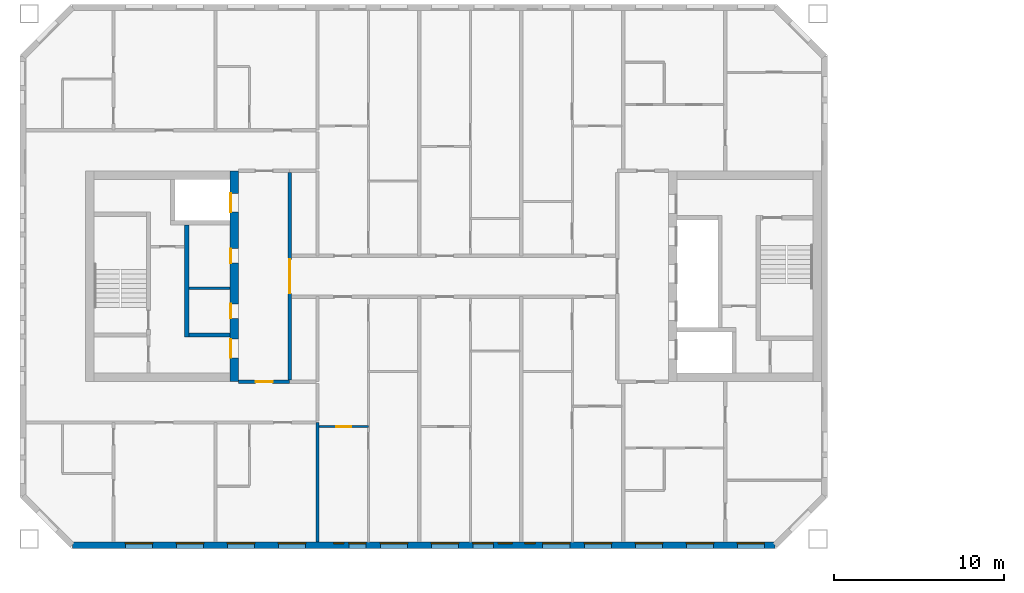
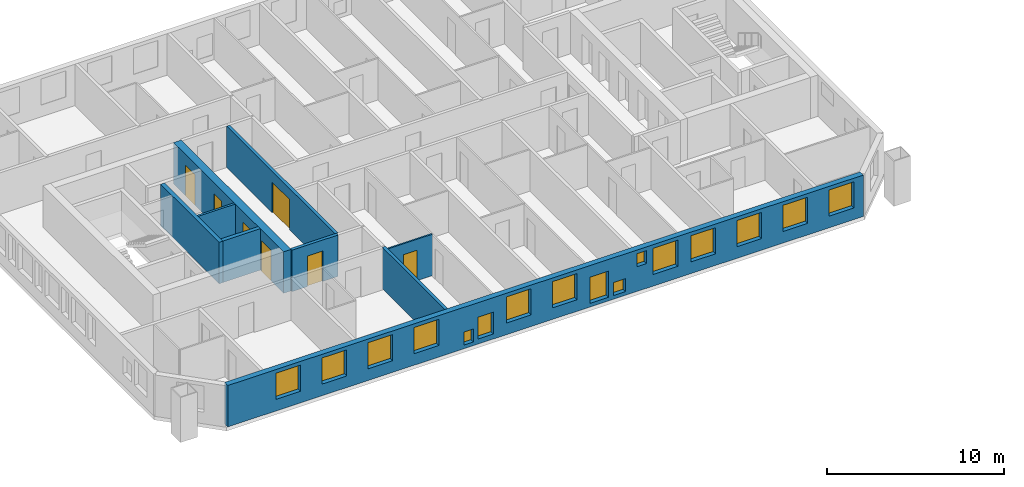
# One storey, part 3 of 15: 16 windows, 9 walls, 7 doors, 23 openings.
"""IFC4 building model written with IfcOpenShell, lengths in metres."""

from ifc_helpers import new_model, si_unit, direction, frame, frame_2d, origin, place, context, subcontext, project, spatial, rectangle, extrude, material, layer, layer_set, type_object, element, fill, save


model = new_model("IFC4")

# Units and contexts
model_context = context("Model", 3, precision=1e-05, world=origin(), true_north=direction((0.0, 1.0)))
body_context = subcontext(model_context, "Body", "Model", "MODEL_VIEW")
ifc_project = project(units=[si_unit("LENGTHUNIT", "METRE"), si_unit("AREAUNIT", "SQUARE_METRE"), si_unit("VOLUMEUNIT", "CUBIC_METRE"), si_unit("PLANEANGLEUNIT", "RADIAN"), si_unit("MASSUNIT", "GRAM", prefix="KILO")], contexts=[model_context])

# Site, building, storey
site_placement = place(None, origin())
site = spatial("IfcSite", under=ifc_project, at=site_placement, CompositionType="ELEMENT")
building_placement = place(site_placement, origin())
building = spatial("IfcBuilding", under=site, at=building_placement, Name="Tuart Gate Housing", CompositionType="ELEMENT")
storey_placement = place(building_placement, frame((0.0, 0.0, 160.89990234375)))
storey = spatial("IfcBuildingStorey", under=building, at=storey_placement, Name="L45", CompositionType="ELEMENT", Elevation=160.89990234375)

# Wall, openings, windows
ifc_material_1 = material(Name="Brick", Category="masonry")
ifc_layer_1 = layer(ifc_material_1, 0.360107421875)
ifc_layer_set_1 = layer_set([ifc_layer_1], Name="Brick pier and spandrel wall 360")
wall_type_1 = type_object("IfcWallType", Name="Brick pier and spandrel wall 360", PredefinedType="STANDARD", material=ifc_layer_set_1)
wall_1_placement = place(storey_placement, frame((31.57470703125, 54.179931640625, 0.0), z_axis=(0.0, 0.0, 1.0), x_axis=(1.0, 0.0, 0.0)))
wall_1 = element("IfcWall", 1, at=wall_1_placement, inside=storey, type_object=wall_type_1, Name="External wall A-S L45", PredefinedType="STANDARD", context=body_context, shape_type="SweptSolid", body=[
    extrude(rectangle(XDim=41.350830078125, YDim=0.360107421875, at=frame_2d((20.67529296875, 0.0))), origin(), (0.0, 0.0, 1.0), 2.85009765625),
])
opening_1_placement = place(wall_1_placement, frame((3.12548828125, 0.0, 0.800048828125)))
opening_1 = element("IfcOpeningElement", 2, at=opening_1_placement, cuts=wall_1, Name="Opening W1", PredefinedType="OPENING", context=body_context, shape_type="SweptSolid", body=[
    extrude(rectangle(XDim=1.60009765625, YDim=1.800048828125, at=frame_2d((0.800048828125, 0.89990234375))), frame((0.0, 0.18994140625, 0.0), z_axis=(0.0, -1.0, 0.0), x_axis=(1.0, 0.0, 0.0)), (0.0, 0.0, 1.0), 0.380126953125),
])
opening_2_placement = place(wall_1_placement, frame((6.12548828125, 0.0, 0.800048828125)))
opening_2 = element("IfcOpeningElement", 3, at=opening_2_placement, cuts=wall_1, Name="Opening W1", PredefinedType="OPENING", context=body_context, shape_type="SweptSolid", body=[
    extrude(rectangle(XDim=1.60009765625, YDim=1.800048828125, at=frame_2d((0.800048828125, 0.89990234375))), frame((0.0, 0.18994140625, 0.0), z_axis=(0.0, -1.0, 0.0), x_axis=(1.0, 0.0, 0.0)), (0.0, 0.0, 1.0), 0.380126953125),
])
opening_3_placement = place(wall_1_placement, frame((9.12548828125, 0.0, 0.800048828125)))
opening_3 = element("IfcOpeningElement", 4, at=opening_3_placement, cuts=wall_1, Name="Opening W1", PredefinedType="OPENING", context=body_context, shape_type="SweptSolid", body=[
    extrude(rectangle(XDim=1.60009765625, YDim=1.800048828125, at=frame_2d((0.800048828125, 0.89990234375))), frame((0.0, 0.18994140625, 0.0), z_axis=(0.0, -1.0, 0.0), x_axis=(1.0, 0.0, 0.0)), (0.0, 0.0, 1.0), 0.380126953125),
])
opening_4_placement = place(wall_1_placement, frame((12.12548828125, 0.0, 0.800048828125)))
opening_4 = element("IfcOpeningElement", 5, at=opening_4_placement, cuts=wall_1, Name="Opening W1", PredefinedType="OPENING", context=body_context, shape_type="SweptSolid", body=[
    extrude(rectangle(XDim=1.60009765625, YDim=1.800048828125, at=frame_2d((0.800048828125, 0.89990234375))), frame((0.0, 0.18994140625, 0.0), z_axis=(0.0, -1.0, 0.0), x_axis=(1.0, 0.0, 0.0)), (0.0, 0.0, 1.0), 0.380126953125),
])
opening_5_placement = place(wall_1_placement, frame((15.37548828125, 0.0, 0.25)))
opening_5 = element("IfcOpeningElement", 6, at=opening_5_placement, cuts=wall_1, Name="Opening W1W", PredefinedType="OPENING", context=body_context, shape_type="SweptSolid", body=[
    extrude(rectangle(XDim=0.60009765625, YDim=0.89990234375, at=frame_2d((0.300048828125, 0.449951171875))), frame((0.0, 0.18994140625, 0.0), z_axis=(0.0, -1.0, 0.0), x_axis=(1.0, 0.0, 0.0)), (0.0, 0.0, 1.0), 0.380126953125),
])
opening_6_placement = place(wall_1_placement, frame((18.12548828125, 0.0, 0.800048828125)))
opening_6 = element("IfcOpeningElement", 7, at=opening_6_placement, cuts=wall_1, Name="Opening W1", PredefinedType="OPENING", context=body_context, shape_type="SweptSolid", body=[
    extrude(rectangle(XDim=1.60009765625, YDim=1.800048828125, at=frame_2d((0.800048828125, 0.89990234375))), frame((0.0, 0.18994140625, 0.0), z_axis=(0.0, -1.0, 0.0), x_axis=(1.0, 0.0, 0.0)), (0.0, 0.0, 1.0), 0.380126953125),
])
opening_7_placement = place(wall_1_placement, frame((21.12548828125, 0.0, 0.800048828125)))
opening_7 = element("IfcOpeningElement", 8, at=opening_7_placement, cuts=wall_1, Name="Opening W1", PredefinedType="OPENING", context=body_context, shape_type="SweptSolid", body=[
    extrude(rectangle(XDim=1.60009765625, YDim=1.800048828125, at=frame_2d((0.800048828125, 0.89990234375))), frame((0.0, 0.18994140625, 0.0), z_axis=(0.0, -1.0, 0.0), x_axis=(1.0, 0.0, 0.0)), (0.0, 0.0, 1.0), 0.380126953125),
])
opening_8_placement = place(wall_1_placement, frame((23.575439453125, 0.0, 0.25)))
opening_8 = element("IfcOpeningElement", 9, at=opening_8_placement, cuts=wall_1, Name="Opening W1B", PredefinedType="OPENING", context=body_context, shape_type="SweptSolid", body=[
    extrude(rectangle(XDim=1.199951171875, YDim=1.800048828125, at=frame_2d((0.60009765625, 0.89990234375))), frame((0.0, 0.18994140625, 0.0), z_axis=(0.0, -1.0, 0.0), x_axis=(1.0, 0.0, 0.0)), (0.0, 0.0, 1.0), 0.380126953125),
])
opening_9_placement = place(wall_1_placement, frame((26.62548828125, 0.0, 1.699951171875)))
opening_9 = element("IfcOpeningElement", 10, at=opening_9_placement, cuts=wall_1, Name="Opening W1W", PredefinedType="OPENING", context=body_context, shape_type="SweptSolid", body=[
    extrude(rectangle(XDim=0.60009765625, YDim=0.89990234375, at=frame_2d((0.300048828125, 0.449951171875))), frame((0.0, 0.18994140625, 0.0), z_axis=(0.0, -1.0, 0.0), x_axis=(1.0, 0.0, 0.0)), (0.0, 0.0, 1.0), 0.380126953125),
])
opening_10_placement = place(wall_1_placement, frame((30.12548828125, 0.0, 0.800048828125)))
opening_10 = element("IfcOpeningElement", 11, at=opening_10_placement, cuts=wall_1, Name="Opening W1", PredefinedType="OPENING", context=body_context, shape_type="SweptSolid", body=[
    extrude(rectangle(XDim=1.60009765625, YDim=1.800048828125, at=frame_2d((0.800048828125, 0.89990234375))), frame((0.0, 0.18994140625, 0.0), z_axis=(0.0, -1.0, 0.0), x_axis=(1.0, 0.0, 0.0)), (0.0, 0.0, 1.0), 0.380126953125),
])
opening_11_placement = place(wall_1_placement, frame((33.12548828125, 0.0, 0.800048828125)))
opening_11 = element("IfcOpeningElement", 12, at=opening_11_placement, cuts=wall_1, Name="Opening W1", PredefinedType="OPENING", context=body_context, shape_type="SweptSolid", body=[
    extrude(rectangle(XDim=1.60009765625, YDim=1.800048828125, at=frame_2d((0.800048828125, 0.89990234375))), frame((0.0, 0.18994140625, 0.0), z_axis=(0.0, -1.0, 0.0), x_axis=(1.0, 0.0, 0.0)), (0.0, 0.0, 1.0), 0.380126953125),
])
opening_12_placement = place(wall_1_placement, frame((36.12548828125, 0.0, 0.800048828125)))
opening_12 = element("IfcOpeningElement", 13, at=opening_12_placement, cuts=wall_1, Name="Opening W1", PredefinedType="OPENING", context=body_context, shape_type="SweptSolid", body=[
    extrude(rectangle(XDim=1.60009765625, YDim=1.800048828125, at=frame_2d((0.800048828125, 0.89990234375))), frame((0.0, 0.18994140625, 0.0), z_axis=(0.0, -1.0, 0.0), x_axis=(1.0, 0.0, 0.0)), (0.0, 0.0, 1.0), 0.380126953125),
])
opening_13_placement = place(wall_1_placement, frame((39.12548828125, 0.0, 0.800048828125)))
opening_13 = element("IfcOpeningElement", 14, at=opening_13_placement, cuts=wall_1, Name="Opening W1", PredefinedType="OPENING", context=body_context, shape_type="SweptSolid", body=[
    extrude(rectangle(XDim=1.60009765625, YDim=1.800048828125, at=frame_2d((0.800048828125, 0.89990234375))), frame((0.0, 0.18994140625, 0.0), z_axis=(0.0, -1.0, 0.0), x_axis=(1.0, 0.0, 0.0)), (0.0, 0.0, 1.0), 0.380126953125),
])
opening_14_placement = place(wall_1_placement, frame((16.275390625, 0.0, 0.35009765625)))
opening_14 = element("IfcOpeningElement", 15, at=opening_14_placement, cuts=wall_1, Name="Opening W1I", PredefinedType="OPENING", context=body_context, shape_type="SweptSolid", body=[
    extrude(rectangle(XDim=1.0, YDim=1.5, at=frame_2d((0.5, 0.75))), frame((0.0, 0.18994140625, 0.0), z_axis=(0.0, -1.0, 0.0), x_axis=(1.0, 0.0, 0.0)), (0.0, 0.0, 1.0), 0.380126953125),
])
opening_15_placement = place(wall_1_placement, frame((25.075439453125, 0.0, 0.25)))
opening_15 = element("IfcOpeningElement", 16, at=opening_15_placement, cuts=wall_1, Name="Opening W1V", PredefinedType="OPENING", context=body_context, shape_type="SweptSolid", body=[
    extrude(rectangle(XDim=0.800048828125, YDim=0.89990234375, at=frame_2d((0.39990234375, 0.449951171875))), frame((0.0, 0.18994140625, 0.0), z_axis=(0.0, -1.0, 0.0), x_axis=(1.0, 0.0, 0.0)), (0.0, 0.0, 1.0), 0.380126953125),
])
opening_16_placement = place(wall_1_placement, frame((27.67529296875, 0.0, 0.800048828125)))
opening_16 = element("IfcOpeningElement", 17, at=opening_16_placement, cuts=wall_1, Name="Opening W1", PredefinedType="OPENING", context=body_context, shape_type="SweptSolid", body=[
    extrude(rectangle(XDim=1.60009765625, YDim=1.800048828125, at=frame_2d((0.800048828125, 0.89990234375))), frame((0.0, 0.18994140625, 0.0), z_axis=(0.0, -1.0, 0.0), x_axis=(1.0, 0.0, 0.0)), (0.0, 0.0, 1.0), 0.380126953125),
])
ifc_material_2 = material(Name="Aluminium frame with clear glass", Category="aluminium")
window_type_1 = type_object("IfcWindowType", Name="Punched window 1000 x 1500", PartitioningType="SINGLE_PANEL", PredefinedType="WINDOW", material=ifc_material_2)
window_1_placement = place(opening_14_placement, origin())
window_1 = element("IfcWindow", 18, at=window_1_placement, inside=storey, type_object=window_type_1, Name="Window W1I", OverallHeight=1.5, OverallWidth=1.0, PartitioningType="SINGLE_PANEL", PredefinedType="WINDOW", context=body_context, shape_type="SweptSolid", body=[
    extrude(rectangle(XDim=1.0, YDim=1.5, at=frame_2d((0.5, 0.75))), frame((0.0, 0.150146484375, 0.0), z_axis=(0.0, -1.0, 0.0), x_axis=(1.0, 0.0, 0.0)), (0.0, 0.0, 1.0), 0.06005859375),
])
fill(opening_14, window_1)
ifc_material_3 = material(Name="Aluminium frame with clear glass", Category="aluminium")
window_type_2 = type_object("IfcWindowType", Name="Punched window 1200 x 1800", PartitioningType="SINGLE_PANEL", PredefinedType="WINDOW", material=ifc_material_3)
window_2_placement = place(opening_8_placement, origin())
window_2 = element("IfcWindow", 19, at=window_2_placement, inside=storey, type_object=window_type_2, Name="Window W1B", OverallHeight=1.800048828125, OverallWidth=1.199951171875, PartitioningType="SINGLE_PANEL", PredefinedType="WINDOW", context=body_context, shape_type="SweptSolid", body=[
    extrude(rectangle(XDim=1.199951171875, YDim=1.800048828125, at=frame_2d((0.60009765625, 0.89990234375))), frame((0.0, 0.150146484375, 0.0), z_axis=(0.0, -1.0, 0.0), x_axis=(1.0, 0.0, 0.0)), (0.0, 0.0, 1.0), 0.06005859375),
])
fill(opening_8, window_2)
ifc_material_4 = material(Name="Aluminium frame with clear glass", Category="aluminium")
window_type_3 = type_object("IfcWindowType", Name="Punched window 1600 x 1800", PartitioningType="SINGLE_PANEL", PredefinedType="WINDOW", material=ifc_material_4)
window_3_placement = place(opening_1_placement, origin())
window_3 = element("IfcWindow", 20, at=window_3_placement, inside=storey, type_object=window_type_3, Name="Window W1", OverallHeight=1.800048828125, OverallWidth=1.60009765625, PartitioningType="SINGLE_PANEL", PredefinedType="WINDOW", context=body_context, shape_type="SweptSolid", body=[
    extrude(rectangle(XDim=1.60009765625, YDim=1.800048828125, at=frame_2d((0.800048828125, 0.89990234375))), frame((0.0, 0.150146484375, 0.0), z_axis=(0.0, -1.0, 0.0), x_axis=(1.0, 0.0, 0.0)), (0.0, 0.0, 1.0), 0.06005859375),
])
fill(opening_1, window_3)
window_4_placement = place(opening_2_placement, origin())
window_4 = element("IfcWindow", 21, at=window_4_placement, inside=storey, type_object=window_type_3, Name="Window W1", OverallHeight=1.800048828125, OverallWidth=1.60009765625, PartitioningType="SINGLE_PANEL", PredefinedType="WINDOW", context=body_context, shape_type="SweptSolid", body=[
    extrude(rectangle(XDim=1.60009765625, YDim=1.800048828125, at=frame_2d((0.800048828125, 0.89990234375))), frame((0.0, 0.150146484375, 0.0), z_axis=(0.0, -1.0, 0.0), x_axis=(1.0, 0.0, 0.0)), (0.0, 0.0, 1.0), 0.06005859375),
])
fill(opening_2, window_4)
window_5_placement = place(opening_3_placement, origin())
window_5 = element("IfcWindow", 22, at=window_5_placement, inside=storey, type_object=window_type_3, Name="Window W1", OverallHeight=1.800048828125, OverallWidth=1.60009765625, PartitioningType="SINGLE_PANEL", PredefinedType="WINDOW", context=body_context, shape_type="SweptSolid", body=[
    extrude(rectangle(XDim=1.60009765625, YDim=1.800048828125, at=frame_2d((0.800048828125, 0.89990234375))), frame((0.0, 0.150146484375, 0.0), z_axis=(0.0, -1.0, 0.0), x_axis=(1.0, 0.0, 0.0)), (0.0, 0.0, 1.0), 0.06005859375),
])
fill(opening_3, window_5)
window_6_placement = place(opening_4_placement, origin())
window_6 = element("IfcWindow", 23, at=window_6_placement, inside=storey, type_object=window_type_3, Name="Window W1", OverallHeight=1.800048828125, OverallWidth=1.60009765625, PartitioningType="SINGLE_PANEL", PredefinedType="WINDOW", context=body_context, shape_type="SweptSolid", body=[
    extrude(rectangle(XDim=1.60009765625, YDim=1.800048828125, at=frame_2d((0.800048828125, 0.89990234375))), frame((0.0, 0.150146484375, 0.0), z_axis=(0.0, -1.0, 0.0), x_axis=(1.0, 0.0, 0.0)), (0.0, 0.0, 1.0), 0.06005859375),
])
fill(opening_4, window_6)
window_7_placement = place(opening_6_placement, origin())
window_7 = element("IfcWindow", 24, at=window_7_placement, inside=storey, type_object=window_type_3, Name="Window W1", OverallHeight=1.800048828125, OverallWidth=1.60009765625, PartitioningType="SINGLE_PANEL", PredefinedType="WINDOW", context=body_context, shape_type="SweptSolid", body=[
    extrude(rectangle(XDim=1.60009765625, YDim=1.800048828125, at=frame_2d((0.800048828125, 0.89990234375))), frame((0.0, 0.150146484375, 0.0), z_axis=(0.0, -1.0, 0.0), x_axis=(1.0, 0.0, 0.0)), (0.0, 0.0, 1.0), 0.06005859375),
])
fill(opening_6, window_7)
window_8_placement = place(opening_7_placement, origin())
window_8 = element("IfcWindow", 25, at=window_8_placement, inside=storey, type_object=window_type_3, Name="Window W1", OverallHeight=1.800048828125, OverallWidth=1.60009765625, PartitioningType="SINGLE_PANEL", PredefinedType="WINDOW", context=body_context, shape_type="SweptSolid", body=[
    extrude(rectangle(XDim=1.60009765625, YDim=1.800048828125, at=frame_2d((0.800048828125, 0.89990234375))), frame((0.0, 0.150146484375, 0.0), z_axis=(0.0, -1.0, 0.0), x_axis=(1.0, 0.0, 0.0)), (0.0, 0.0, 1.0), 0.06005859375),
])
fill(opening_7, window_8)
window_9_placement = place(opening_10_placement, origin())
window_9 = element("IfcWindow", 26, at=window_9_placement, inside=storey, type_object=window_type_3, Name="Window W1", OverallHeight=1.800048828125, OverallWidth=1.60009765625, PartitioningType="SINGLE_PANEL", PredefinedType="WINDOW", context=body_context, shape_type="SweptSolid", body=[
    extrude(rectangle(XDim=1.60009765625, YDim=1.800048828125, at=frame_2d((0.800048828125, 0.89990234375))), frame((0.0, 0.150146484375, 0.0), z_axis=(0.0, -1.0, 0.0), x_axis=(1.0, 0.0, 0.0)), (0.0, 0.0, 1.0), 0.06005859375),
])
fill(opening_10, window_9)
window_10_placement = place(opening_11_placement, origin())
window_10 = element("IfcWindow", 27, at=window_10_placement, inside=storey, type_object=window_type_3, Name="Window W1", OverallHeight=1.800048828125, OverallWidth=1.60009765625, PartitioningType="SINGLE_PANEL", PredefinedType="WINDOW", context=body_context, shape_type="SweptSolid", body=[
    extrude(rectangle(XDim=1.60009765625, YDim=1.800048828125, at=frame_2d((0.800048828125, 0.89990234375))), frame((0.0, 0.150146484375, 0.0), z_axis=(0.0, -1.0, 0.0), x_axis=(1.0, 0.0, 0.0)), (0.0, 0.0, 1.0), 0.06005859375),
])
fill(opening_11, window_10)
window_11_placement = place(opening_12_placement, origin())
window_11 = element("IfcWindow", 28, at=window_11_placement, inside=storey, type_object=window_type_3, Name="Window W1", OverallHeight=1.800048828125, OverallWidth=1.60009765625, PartitioningType="SINGLE_PANEL", PredefinedType="WINDOW", context=body_context, shape_type="SweptSolid", body=[
    extrude(rectangle(XDim=1.60009765625, YDim=1.800048828125, at=frame_2d((0.800048828125, 0.89990234375))), frame((0.0, 0.150146484375, 0.0), z_axis=(0.0, -1.0, 0.0), x_axis=(1.0, 0.0, 0.0)), (0.0, 0.0, 1.0), 0.06005859375),
])
fill(opening_12, window_11)
window_12_placement = place(opening_13_placement, origin())
window_12 = element("IfcWindow", 29, at=window_12_placement, inside=storey, type_object=window_type_3, Name="Window W1", OverallHeight=1.800048828125, OverallWidth=1.60009765625, PartitioningType="SINGLE_PANEL", PredefinedType="WINDOW", context=body_context, shape_type="SweptSolid", body=[
    extrude(rectangle(XDim=1.60009765625, YDim=1.800048828125, at=frame_2d((0.800048828125, 0.89990234375))), frame((0.0, 0.150146484375, 0.0), z_axis=(0.0, -1.0, 0.0), x_axis=(1.0, 0.0, 0.0)), (0.0, 0.0, 1.0), 0.06005859375),
])
fill(opening_13, window_12)
window_13_placement = place(opening_16_placement, origin())
window_13 = element("IfcWindow", 30, at=window_13_placement, inside=storey, type_object=window_type_3, Name="Window W1", OverallHeight=1.800048828125, OverallWidth=1.60009765625, PartitioningType="SINGLE_PANEL", PredefinedType="WINDOW", context=body_context, shape_type="SweptSolid", body=[
    extrude(rectangle(XDim=1.60009765625, YDim=1.800048828125, at=frame_2d((0.800048828125, 0.89990234375))), frame((0.0, 0.150146484375, 0.0), z_axis=(0.0, -1.0, 0.0), x_axis=(1.0, 0.0, 0.0)), (0.0, 0.0, 1.0), 0.06005859375),
])
fill(opening_16, window_13)
ifc_material_5 = material(Name="Aluminium frame with clear glass", Category="aluminium")
window_type_4 = type_object("IfcWindowType", Name="Punched window 600 x 900", PartitioningType="SINGLE_PANEL", PredefinedType="WINDOW", material=ifc_material_5)
window_14_placement = place(opening_5_placement, origin())
window_14 = element("IfcWindow", 31, at=window_14_placement, inside=storey, type_object=window_type_4, Name="Window W1W", OverallHeight=0.89990234375, OverallWidth=0.60009765625, PartitioningType="SINGLE_PANEL", PredefinedType="WINDOW", context=body_context, shape_type="SweptSolid", body=[
    extrude(rectangle(XDim=0.60009765625, YDim=0.89990234375, at=frame_2d((0.300048828125, 0.449951171875))), frame((0.0, 0.150146484375, 0.0), z_axis=(0.0, -1.0, 0.0), x_axis=(1.0, 0.0, 0.0)), (0.0, 0.0, 1.0), 0.06005859375),
])
fill(opening_5, window_14)
window_15_placement = place(opening_9_placement, origin())
window_15 = element("IfcWindow", 32, at=window_15_placement, inside=storey, type_object=window_type_4, Name="Window W1W", OverallHeight=0.89990234375, OverallWidth=0.60009765625, PartitioningType="SINGLE_PANEL", PredefinedType="WINDOW", context=body_context, shape_type="SweptSolid", body=[
    extrude(rectangle(XDim=0.60009765625, YDim=0.89990234375, at=frame_2d((0.300048828125, 0.449951171875))), frame((0.0, 0.150146484375, 0.0), z_axis=(0.0, -1.0, 0.0), x_axis=(1.0, 0.0, 0.0)), (0.0, 0.0, 1.0), 0.06005859375),
])
fill(opening_9, window_15)
ifc_material_6 = material(Name="Aluminium frame with clear glass", Category="aluminium")
window_type_5 = type_object("IfcWindowType", Name="Punched window 800 x 900", PartitioningType="SINGLE_PANEL", PredefinedType="WINDOW", material=ifc_material_6)
window_16_placement = place(opening_15_placement, origin())
window_16 = element("IfcWindow", 33, at=window_16_placement, inside=storey, type_object=window_type_5, Name="Window W1V", OverallHeight=0.89990234375, OverallWidth=0.800048828125, PartitioningType="SINGLE_PANEL", PredefinedType="WINDOW", context=body_context, shape_type="SweptSolid", body=[
    extrude(rectangle(XDim=0.800048828125, YDim=0.89990234375, at=frame_2d((0.39990234375, 0.449951171875))), frame((0.0, 0.150146484375, 0.0), z_axis=(0.0, -1.0, 0.0), x_axis=(1.0, 0.0, 0.0)), (0.0, 0.0, 1.0), 0.06005859375),
])
fill(opening_15, window_16)

# Walls
ifc_material_7 = material(Name="Plasterboard partition")
ifc_layer_2 = layer(ifc_material_7, 0.14990234375)
ifc_layer_set_2 = layer_set([ifc_layer_2], Name="Core partition 150")
wall_type_2 = type_object("IfcWallType", Name="Core partition 150", PredefinedType="PARTITIONING", material=ifc_layer_set_2)
wall_2_placement = place(storey_placement, frame((40.860107421875, 69.300048828125, 0.0), z_axis=(0.0, 0.0, 1.0), x_axis=(-1.0, 0.0, 0.0)))
element("IfcWall", 34, at=wall_2_placement, inside=storey, type_object=wall_type_2, Name="Core partition AK.4", PredefinedType="PARTITIONING", context=body_context, shape_type="SweptSolid", body=[
    extrude(rectangle(XDim=2.425048828125, YDim=0.14990234375, at=frame_2d((1.21240234375, 0.0))), origin(), (0.0, 0.0, 1.0), 2.85009765625),
])
ifc_material_8 = material(Name="Concrete C40", Category="concrete")
ifc_layer_3 = layer(ifc_material_8, 0.25)
ifc_layer_set_3 = layer_set([ifc_layer_3], Name="Core wall 250 C40")
wall_type_3 = type_object("IfcWallType", Name="Core wall 250 C40", PredefinedType="SHEAR", material=ifc_layer_set_3)
wall_3_placement = place(storey_placement, frame((40.860107421875, 66.550048828125, 0.0), z_axis=(0.0, 0.0, 1.0), x_axis=(-1.0, 0.0, 0.0)))
element("IfcWall", 35, at=wall_3_placement, inside=storey, type_object=wall_type_3, Name="Core wall AK.5", PredefinedType="SHEAR", context=body_context, shape_type="SweptSolid", body=[
    extrude(rectangle(XDim=2.425048828125, YDim=0.25, at=frame_2d((1.21240234375, 0.0))), origin(), (0.0, 0.0, 1.0), 2.85009765625),
])
wall_4_placement = place(storey_placement, frame((38.31005859375, 73.02490234375, 0.0), z_axis=(0.0, 0.0, 1.0), x_axis=(0.0, -1.0, 0.0)))
element("IfcWall", 36, at=wall_4_placement, inside=storey, type_object=wall_type_3, Name="Core wall AK.7", PredefinedType="SHEAR", context=body_context, shape_type="SweptSolid", body=[
    extrude(rectangle(XDim=6.599853515625, YDim=0.25, at=frame_2d((3.2998046875, 0.0))), origin(), (0.0, 0.0, 1.0), 2.85009765625),
])

# Wall, openings, doors
ifc_material_9 = material(Name="Concrete C40", Category="concrete")
ifc_layer_4 = layer(ifc_material_9, 0.5)
ifc_layer_set_4 = layer_set([ifc_layer_4], Name="Core wall 500 C40")
wall_type_4 = type_object("IfcWallType", Name="Core wall 500 C40", PredefinedType="SHEAR", material=ifc_layer_set_4)
wall_5_placement = place(storey_placement, frame((41.110107421875, 76.199951171875, 0.0), z_axis=(0.0, 0.0, 1.0), x_axis=(0.0, -1.0, 0.0)))
wall_5 = element("IfcWall", 37, at=wall_5_placement, inside=storey, type_object=wall_type_4, Name="Core wall AK front", PredefinedType="SHEAR", context=body_context, shape_type="SweptSolid", body=[
    extrude(rectangle(XDim=12.39990234375, YDim=0.5, at=frame_2d((6.199951171875, 0.0))), origin(), (0.0, 0.0, 1.0), 2.85009765625),
])
opening_17_placement = place(wall_5_placement, frame((1.324951171875, 0.0, 0.0)))
opening_17 = element("IfcOpeningElement", 38, at=opening_17_placement, cuts=wall_5, Name="Opening LD-FA2", PredefinedType="OPENING", context=body_context, shape_type="SweptSolid", body=[
    extrude(rectangle(XDim=1.10009765625, YDim=2.10009765625, at=frame_2d((0.550048828125, 1.050048828125))), frame((0.0, 0.260009765625, 0.0), z_axis=(0.0, -1.0, 0.0), x_axis=(1.0, 0.0, 0.0)), (0.0, 0.0, 1.0), 0.52001953125),
])
opening_18_placement = place(wall_5_placement, frame((4.574951171875, 0.0, 0.0)))
opening_18 = element("IfcOpeningElement", 39, at=opening_18_placement, cuts=wall_5, Name="Opening D1650", PredefinedType="OPENING", context=body_context, shape_type="SweptSolid", body=[
    extrude(rectangle(XDim=0.85009765625, YDim=2.10009765625, at=frame_2d((0.425048828125, 1.050048828125))), frame((0.0, 0.260009765625, 0.0), z_axis=(0.0, -1.0, 0.0), x_axis=(1.0, 0.0, 0.0)), (0.0, 0.0, 1.0), 0.52001953125),
])
opening_19_placement = place(wall_5_placement, frame((7.824951171875, 0.0, 0.0)))
opening_19 = element("IfcOpeningElement", 40, at=opening_19_placement, cuts=wall_5, Name="Opening D1651", PredefinedType="OPENING", context=body_context, shape_type="SweptSolid", body=[
    extrude(rectangle(XDim=0.85009765625, YDim=2.10009765625, at=frame_2d((0.425048828125, 1.050048828125))), frame((0.0, 0.260009765625, 0.0), z_axis=(0.0, -1.0, 0.0), x_axis=(1.0, 0.0, 0.0)), (0.0, 0.0, 1.0), 0.52001953125),
])
opening_20_placement = place(wall_5_placement, frame((9.89990234375, 0.0, 0.0)))
opening_20 = element("IfcOpeningElement", 41, at=opening_20_placement, cuts=wall_5, Name="Opening D1649", PredefinedType="OPENING", context=body_context, shape_type="SweptSolid", body=[
    extrude(rectangle(XDim=1.10009765625, YDim=2.10009765625, at=frame_2d((0.550048828125, 1.050048828125))), frame((0.0, 0.260009765625, 0.0), z_axis=(0.0, -1.0, 0.0), x_axis=(1.0, 0.0, 0.0)), (0.0, 0.0, 1.0), 0.52001953125),
])
ifc_material_10 = material(Name="Stainless steel", Category="steel")
door_type_1 = type_object("IfcDoorType", Name="Landing door 1100 x 2100", OperationType="DOUBLE_DOOR_SLIDING", PredefinedType="DOOR", material=ifc_material_10)
door_1_placement = place(opening_17_placement, origin())
door_1 = element("IfcDoor", 42, at=door_1_placement, inside=storey, type_object=door_type_1, Name="Lift landing door FA2", OperationType="DOUBLE_DOOR_SLIDING", OverallHeight=2.10009765625, OverallWidth=1.10009765625, PredefinedType="DOOR", context=body_context, shape_type="SweptSolid", body=[
    extrude(rectangle(XDim=1.10009765625, YDim=2.10009765625, at=frame_2d((0.550048828125, 1.050048828125))), frame((0.0, -0.18505859375, 0.0), z_axis=(0.0, -1.0, 0.0), x_axis=(1.0, 0.0, 0.0)), (0.0, 0.0, 1.0), 0.050048828125),
])
fill(opening_17, door_1)
ifc_material_11 = material(Name="Steel fire door", Category="steel")
door_type_2 = type_object("IfcDoorType", Name="Lobby door 1100 x 2100 RH", OperationType="SINGLE_SWING_RIGHT", PredefinedType="DOOR", material=ifc_material_11)
door_2_placement = place(opening_20_placement, frame((1.10009765625, 0.0, 0.0), z_axis=(0.0, 0.0, 1.0), x_axis=(-1.0, 0.0, 0.0)))
door_2 = element("IfcDoor", 43, at=door_2_placement, inside=storey, type_object=door_type_2, Name="Lobby entry door AK.EN", OperationType="SINGLE_SWING_RIGHT", OverallHeight=2.10009765625, OverallWidth=1.10009765625, PredefinedType="DOOR", context=body_context, shape_type="SweptSolid", body=[
    extrude(rectangle(XDim=1.10009765625, YDim=2.10009765625, at=frame_2d((0.550048828125, 1.050048828125))), frame((0.0, 0.235107421875, 0.0), z_axis=(0.0, -1.0, 0.0), x_axis=(1.0, 0.0, 0.0)), (0.0, 0.0, 1.0), 0.050048828125),
])
fill(opening_20, door_2)
ifc_material_12 = material(Name="Steel fire door", Category="steel")
door_type_3 = type_object("IfcDoorType", Name="Service door 850 x 2100 RH", OperationType="SINGLE_SWING_RIGHT", PredefinedType="DOOR", material=ifc_material_12)
door_3_placement = place(opening_18_placement, frame((0.85009765625, 0.0, 0.0), z_axis=(0.0, 0.0, 1.0), x_axis=(-1.0, 0.0, 0.0)))
door_3 = element("IfcDoor", 44, at=door_3_placement, inside=storey, type_object=door_type_3, Name="Service room door AK.FR1", OperationType="SINGLE_SWING_RIGHT", OverallHeight=2.10009765625, OverallWidth=0.85009765625, PredefinedType="DOOR", context=body_context, shape_type="SweptSolid", body=[
    extrude(rectangle(XDim=0.85009765625, YDim=2.10009765625, at=frame_2d((0.425048828125, 1.050048828125))), frame((0.0, 0.235107421875, 0.0), z_axis=(0.0, -1.0, 0.0), x_axis=(1.0, 0.0, 0.0)), (0.0, 0.0, 1.0), 0.050048828125),
])
fill(opening_18, door_3)
door_4_placement = place(opening_19_placement, frame((0.85009765625, 0.0, 0.0), z_axis=(0.0, 0.0, 1.0), x_axis=(-1.0, 0.0, 0.0)))
door_4 = element("IfcDoor", 45, at=door_4_placement, inside=storey, type_object=door_type_3, Name="Service room door AK.FR2", OperationType="SINGLE_SWING_RIGHT", OverallHeight=2.10009765625, OverallWidth=0.85009765625, PredefinedType="DOOR", context=body_context, shape_type="SweptSolid", body=[
    extrude(rectangle(XDim=0.85009765625, YDim=2.10009765625, at=frame_2d((0.425048828125, 1.050048828125))), frame((0.0, 0.235107421875, 0.0), z_axis=(0.0, -1.0, 0.0), x_axis=(1.0, 0.0, 0.0)), (0.0, 0.0, 1.0), 0.050048828125),
])
fill(opening_19, door_4)

# Wall, opening, door
ifc_material_13 = material(Name="Concrete masonry 15 MPa", Category="masonry")
ifc_layer_5 = layer(ifc_material_13, 0.199951171875)
ifc_layer_set_5 = layer_set([ifc_layer_5], Name="Enclosure wall masonry 200")
wall_type_5 = type_object("IfcWallType", Name="Enclosure wall masonry 200", PredefinedType="PARTITIONING", material=ifc_layer_set_5)
wall_6_placement = place(storey_placement, frame((41.360107421875, 63.800048828125, 0.0), z_axis=(0.0, 0.0, 1.0), x_axis=(1.0, 0.0, 0.0)))
wall_6 = element("IfcWall", 46, at=wall_6_placement, inside=storey, type_object=wall_type_5, Name="Enclosure wall masonry 200", PredefinedType="PARTITIONING", context=body_context, shape_type="SweptSolid", body=[
    extrude(rectangle(XDim=3.0, YDim=0.199951171875, at=frame_2d((1.5, 0.0))), origin(), (0.0, 0.0, 1.0), 2.85009765625),
])
opening_21_placement = place(wall_6_placement, frame((1.0, 0.0, 0.0)))
opening_21 = element("IfcOpeningElement", 47, at=opening_21_placement, cuts=wall_6, Name="Opening D1661", PredefinedType="OPENING", context=body_context, shape_type="SweptSolid", body=[
    extrude(rectangle(XDim=1.0, YDim=2.10009765625, at=frame_2d((0.5, 1.050048828125))), frame((0.0, 0.10986328125, 0.0), z_axis=(0.0, -1.0, 0.0), x_axis=(1.0, 0.0, 0.0)), (0.0, 0.0, 1.0), 0.219970703125),
])
ifc_material_14 = material(Name="Timber door leaf in steel frame", Category="steel")
door_type_4 = type_object("IfcDoorType", Name="Fire door 1000", OperationType="SINGLE_SWING_LEFT", PredefinedType="DOOR", material=ifc_material_14)
door_5_placement = place(opening_21_placement, frame((1.0, 0.0, 0.0), z_axis=(0.0, 0.0, 1.0), x_axis=(-1.0, 0.0, 0.0)))
door_5 = element("IfcDoor", 48, at=door_5_placement, inside=storey, type_object=door_type_4, Name="Fire door", OperationType="SINGLE_SWING_LEFT", OverallHeight=2.10009765625, OverallWidth=1.0, PredefinedType="DOOR", context=body_context, shape_type="SweptSolid", body=[
    extrude(rectangle(XDim=1.0, YDim=2.10009765625, at=frame_2d((0.5, 1.050048828125))), frame((0.0, 0.025146484375, 0.0), z_axis=(0.0, -1.0, 0.0), x_axis=(1.0, 0.0, 0.0)), (0.0, 0.0, 1.0), 0.050048828125),
])
fill(opening_21, door_5)

ifc_material_15 = material(Name="Plasterboard partition")
ifc_layer_6 = layer(ifc_material_15, 0.199951171875)
ifc_layer_set_6 = layer_set([ifc_layer_6], Name="Lobby wall 200")
wall_type_6 = type_object("IfcWallType", Name="Lobby wall 200", PredefinedType="PARTITIONING", material=ifc_layer_set_6)
wall_7_placement = place(storey_placement, frame((44.360107421875, 63.89990234375, 0.0), z_axis=(0.0, 0.0, 1.0), x_axis=(0.0, 1.0, 0.0)))
wall_7 = element("IfcWall", 49, at=wall_7_placement, inside=storey, type_object=wall_type_6, Name="Lift lobby wall AK", PredefinedType="PARTITIONING", context=body_context, shape_type="SweptSolid", body=[
    extrude(rectangle(XDim=12.2001953125, YDim=0.199951171875, at=frame_2d((6.10009765625, 0.0))), origin(), (0.0, 0.0, 1.0), 2.85009765625),
])
opening_22_placement = place(wall_7_placement, frame((5.10009765625, 0.0, 0.0)))
opening_22 = element("IfcOpeningElement", 50, at=opening_22_placement, cuts=wall_7, Name="Opening D1652", PredefinedType="OPENING", context=body_context, shape_type="SweptSolid", body=[
    extrude(rectangle(XDim=2.0, YDim=2.10009765625, at=frame_2d((1.0, 1.050048828125))), frame((0.0, 0.10986328125, 0.0), z_axis=(0.0, -1.0, 0.0), x_axis=(1.0, 0.0, 0.0)), (0.0, 0.0, 1.0), 0.219970703125),
])
ifc_material_16 = material(Name="Steel fire door", Category="steel")
door_type_5 = type_object("IfcDoorType", Name="Smoke door 2000 x 2100", OperationType="DOUBLE_DOOR_SINGLE_SWING", PredefinedType="DOOR", material=ifc_material_16)
door_6_placement = place(opening_22_placement, origin())
door_6 = element("IfcDoor", 51, at=door_6_placement, inside=storey, type_object=door_type_5, Name="Lift lobby smoke door AK", OperationType="DOUBLE_DOOR_SINGLE_SWING", OverallHeight=2.10009765625, OverallWidth=2.0, PredefinedType="DOOR", context=body_context, shape_type="SweptSolid", body=[
    extrude(rectangle(XDim=2.0, YDim=2.10009765625, at=frame_2d((1.0, 1.050048828125))), frame((0.0, 0.02490234375, 0.0), z_axis=(0.0, -1.0, 0.0), x_axis=(1.0, 0.0, 0.0)), (0.0, 0.0, 1.0), 0.050048828125),
])
fill(opening_22, door_6)

ifc_material_17 = material(Name="Gypsum board on steel studs", Category="steel")
ifc_layer_7 = layer(ifc_material_17, 0.10009765625)
ifc_layer_set_7 = layer_set([ifc_layer_7], Name="Partition 100")
wall_type_7 = type_object("IfcWallType", Name="Partition 100", PredefinedType="PARTITIONING", material=ifc_layer_set_7)
wall_8_placement = place(storey_placement, frame((46.10009765625, 61.159912109375, 0.0), z_axis=(0.0, 0.0, 1.0), x_axis=(1.0, 0.0, 0.0)))
wall_8 = element("IfcWall", 52, at=wall_8_placement, inside=storey, type_object=wall_type_7, Name="Partition 100", PredefinedType="PARTITIONING", context=body_context, shape_type="SweptSolid", body=[
    extrude(rectangle(XDim=2.89990234375, YDim=0.10009765625, at=frame_2d((1.449951171875, 0.0))), origin(), (0.0, 0.0, 1.0), 2.85009765625),
])
opening_23_placement = place(wall_8_placement, frame((1.0, 0.0, 0.0)))
opening_23 = element("IfcOpeningElement", 53, at=opening_23_placement, cuts=wall_8, Name="Opening D1672", PredefinedType="OPENING", context=body_context, shape_type="SweptSolid", body=[
    extrude(rectangle(XDim=0.89990234375, YDim=2.10009765625, at=frame_2d((0.449951171875, 1.050048828125))), frame((0.0, 0.06005859375, 0.0), z_axis=(0.0, -1.0, 0.0), x_axis=(1.0, 0.0, 0.0)), (0.0, 0.0, 1.0), 0.1201171875),
])
ifc_material_18 = material(Name="Timber door leaf in steel frame", Category="steel")
door_type_6 = type_object("IfcDoorType", Name="Internal door 900 RH", OperationType="SINGLE_SWING_RIGHT", PredefinedType="DOOR", material=ifc_material_18)
door_7_placement = place(opening_23_placement, origin())
door_7 = element("IfcDoor", 54, at=door_7_placement, inside=storey, type_object=door_type_6, Name="Internal door", OperationType="SINGLE_SWING_RIGHT", OverallHeight=2.10009765625, OverallWidth=0.89990234375, PredefinedType="DOOR", context=body_context, shape_type="SweptSolid", body=[
    extrude(rectangle(XDim=0.89990234375, YDim=2.10009765625, at=frame_2d((0.449951171875, 1.050048828125))), frame((0.0, 0.02490234375, 0.0), z_axis=(0.0, -1.0, 0.0), x_axis=(1.0, 0.0, 0.0)), (0.0, 0.0, 1.0), 0.050048828125),
])
fill(opening_23, door_7)

# Wall
ifc_material_19 = material(Name="Concrete C40", Category="concrete")
ifc_layer_8 = layer(ifc_material_19, 0.199951171875)
ifc_layer_set_8 = layer_set([ifc_layer_8], Name="Party wall concrete C40 200")
wall_type_8 = type_object("IfcWallType", Name="Party wall concrete C40 200", PredefinedType="SOLIDWALL", material=ifc_layer_set_8)
wall_9_placement = place(storey_placement, frame((46.0, 54.360107421875, 0.0), z_axis=(0.0, 0.0, 1.0), x_axis=(0.0, 1.0, 0.0)))
element("IfcWall", 55, at=wall_9_placement, inside=storey, type_object=wall_type_8, Name="Party wall concrete C40 200", PredefinedType="SOLIDWALL", context=body_context, shape_type="SweptSolid", body=[
    extrude(rectangle(XDim=7.039794921875, YDim=0.199951171875, at=frame_2d((3.52001953125, 0.0))), origin(), (0.0, 0.0, 1.0), 2.85009765625),
])

save(model, "model.ifc")
